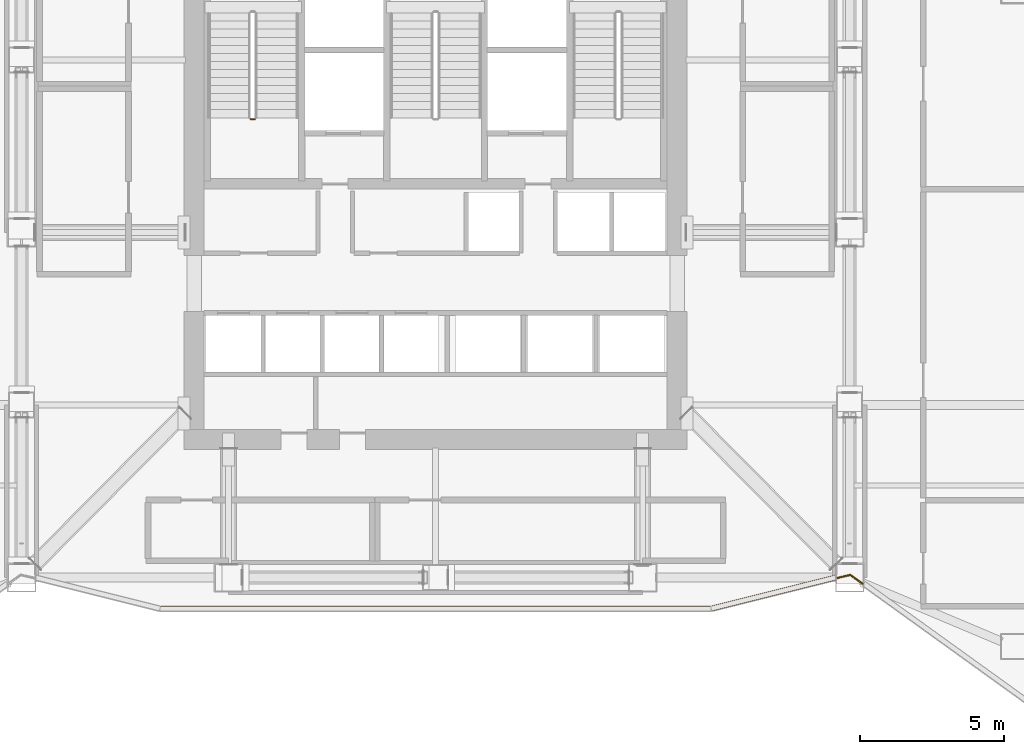
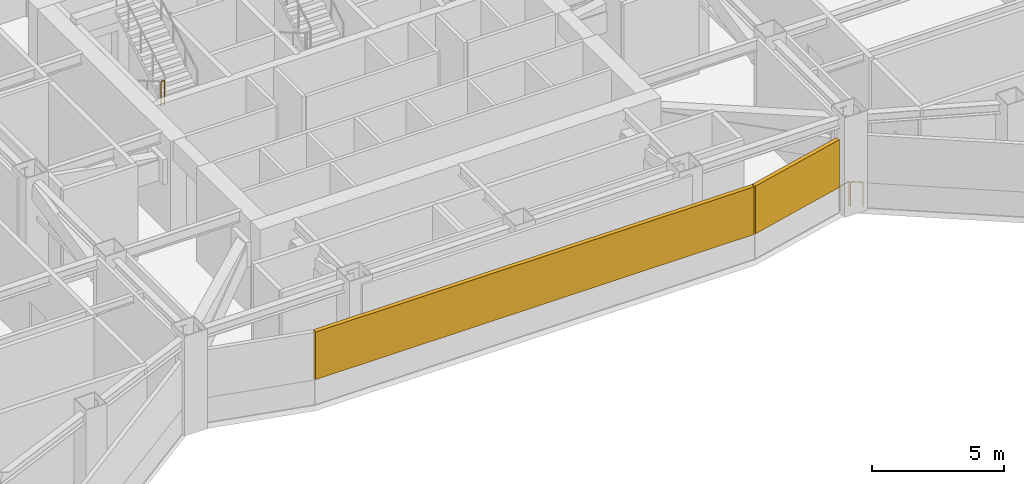
# One storey, part 19 of 24: 3 railings, 2 shading devices.
"""IFC4 building model written with IfcOpenShell, lengths in metres."""

from ifc_helpers import new_model, si_unit, direction, frame, origin, origin_2d, place, context, subcontext, project, spatial, rectangle, circle, extrude, material, type_object, element, save


model = new_model("IFC4")

# Units and contexts
model_context = context("Model", 3, precision=1e-05, world=origin(), true_north=direction((0.0, 1.0)))
body_context = subcontext(model_context, "Body", "Model", "MODEL_VIEW")
ifc_project = project(units=[si_unit("LENGTHUNIT", "METRE"), si_unit("AREAUNIT", "SQUARE_METRE"), si_unit("VOLUMEUNIT", "CUBIC_METRE"), si_unit("PLANEANGLEUNIT", "RADIAN"), si_unit("MASSUNIT", "GRAM", prefix="KILO")], contexts=[model_context])

# Site, building, storey
site_placement = place(None, origin())
site = spatial("IfcSite", under=ifc_project, at=site_placement, CompositionType="ELEMENT")
building_placement = place(site_placement, origin())
building = spatial("IfcBuilding", under=site, at=building_placement, Name="Haolan Belvedere Tower", CompositionType="ELEMENT")
storey_placement = place(building_placement, frame((0.0, 0.0, 160.0)))
storey = spatial("IfcBuildingStorey", under=building, at=storey_placement, Name="L40", CompositionType="ELEMENT", Elevation=160.0)

# Railings
ifc_material_1 = material(Name="Galvanised powder-coated steel guardrail", Category="steel")
railing_type_1 = type_object("IfcRailingType", Name="RL-REF-GRD-1150", PredefinedType="GUARDRAIL", material=ifc_material_1)
railing_1_placement = place(storey_placement, frame((53.25830078125, 21.380859375, 0.0)))
element("IfcRailing", 1, at=railing_1_placement, inside=storey, type_object=railing_type_1, Name="L40 refuge corner safety guardrail 3A", PredefinedType="GUARDRAIL", context=body_context, shape_type="SweptSolid", body=[
    extrude(circle(Radius=0.02392578125, at=origin_2d()), frame((0.0, 0.0, 1.1259765625), z_axis=(-0.811445651793, 0.584427886215, 0.0), x_axis=(-0.584427886215, -0.811445651793, 0.0)), (0.0, 0.0, 1.0), 0.469970703125),
    extrude(circle(Radius=0.02099609375, at=origin_2d()), origin(), (0.0, 0.0, 1.0), 1.101806640625),
    extrude(circle(Radius=0.02099609375, at=origin_2d()), frame((-0.38134765625, 0.274658203125, 0.0)), (0.0, 0.0, 1.0), 1.101806640625),
])
railing_2_placement = place(storey_placement, frame((52.828125, 21.690673828125, 0.0)))
element("IfcRailing", 2, at=railing_2_placement, inside=storey, type_object=railing_type_1, Name="L40 refuge corner safety guardrail 3B", PredefinedType="GUARDRAIL", context=body_context, shape_type="SweptSolid", body=[
    extrude(circle(Radius=0.02392578125, at=origin_2d()), frame((0.0, 0.0, 1.1259765625), z_axis=(-0.974532291101, -0.224247215372, 0.0), x_axis=(0.224247215372, -0.974532291101, 0.0)), (0.0, 0.0, 1.0), 0.466064453125),
    extrude(circle(Radius=0.02099609375, at=origin_2d()), origin(), (0.0, 0.0, 1.0), 1.101806640625),
    extrude(circle(Radius=0.02099609375, at=origin_2d()), frame((-0.4541015625, -0.1044921875, 0.0)), (0.0, 0.0, 1.0), 1.101806640625),
])
ifc_material_2 = material(Name="Brushed stainless steel 304", Category="steel")
railing_type_2 = type_object("IfcRailingType", Name="RL-STAIR-GRD-1150", PredefinedType="GUARDRAIL", material=ifc_material_2)
railing_3_placement = place(storey_placement, frame((31.969970703125, 37.5400390625, 2.300048828125)))
element("IfcRailing", 3, at=railing_3_placement, inside=storey, type_object=railing_type_2, Name="L40 ST1 stair guard 2", PredefinedType="GUARDRAIL", context=body_context, shape_type="SweptSolid", body=[
    extrude(circle(Radius=0.02392578125, at=origin_2d()), frame((0.0, 0.0, 1.1259765625), z_axis=(1.0, 0.0, 0.0), x_axis=(0.0, 1.0, 0.0)), (0.0, 0.0, 1.0), 0.14013671875),
    extrude(circle(Radius=0.02099609375, at=origin_2d()), origin(), (0.0, 0.0, 1.0), 1.101806640625),
    extrude(circle(Radius=0.02099609375, at=origin_2d()), frame((0.14013671875, 0.0, 0.0)), (0.0, 0.0, 1.0), 1.101806640625),
])

# Shading devices
ifc_material_3 = material(Name="Anodised champagne-silver aluminium 6063-T6", Category="aluminium")
shading_device_type = type_object("IfcShadingDeviceType", Name="SHD-LOUV-180", PredefinedType="JALOUSIE", material=ifc_material_3)
shading_device_1_placement = place(storey_placement, frame((38.39990234375, 20.52001953125, 1.14990234375), z_axis=(0.0, 0.0, 1.0), x_axis=(1.0, 0.0, 0.0)))
element("IfcShadingDevice", 4, at=shading_device_1_placement, inside=storey, type_object=shading_device_type, Name="L40 refuge storm-proof louvre bank 7.1", PredefinedType="JALOUSIE", context=body_context, shape_type="SweptSolid", body=[
    extrude(rectangle(XDim=19.13037109375, YDim=0.179931640625, at=origin_2d()), origin(), (0.0, 0.0, 1.0), 2.199951171875),
])
shading_device_2_placement = place(storey_placement, frame((50.146484375, 21.060302734375, 1.14990234375), z_axis=(0.0, 0.0, 1.0), x_axis=(0.970143530747, 0.242531502591, 0.0)))
element("IfcShadingDevice", 5, at=shading_device_2_placement, inside=storey, type_object=shading_device_type, Name="L40 refuge storm-proof louvre bank 8.1", PredefinedType="JALOUSIE", context=body_context, shape_type="SweptSolid", body=[
    extrude(rectangle(XDim=4.415771484375, YDim=0.179931640625, at=origin_2d()), origin(), (0.0, 0.0, 1.0), 2.199951171875),
])

save(model, "model.ifc")
